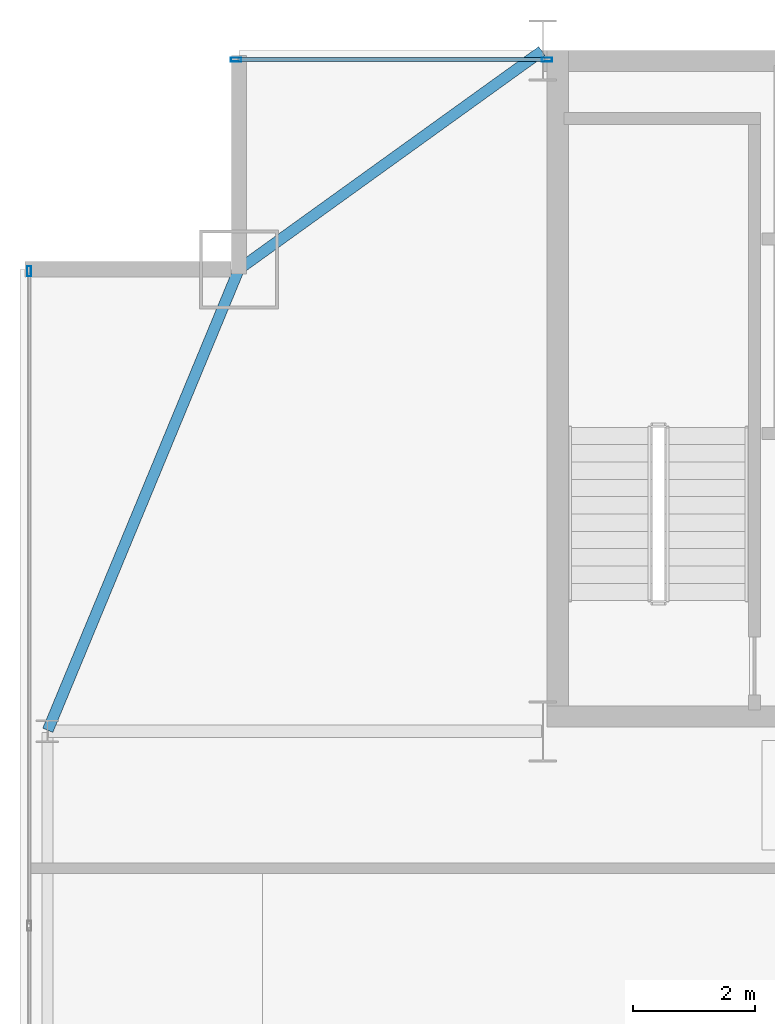
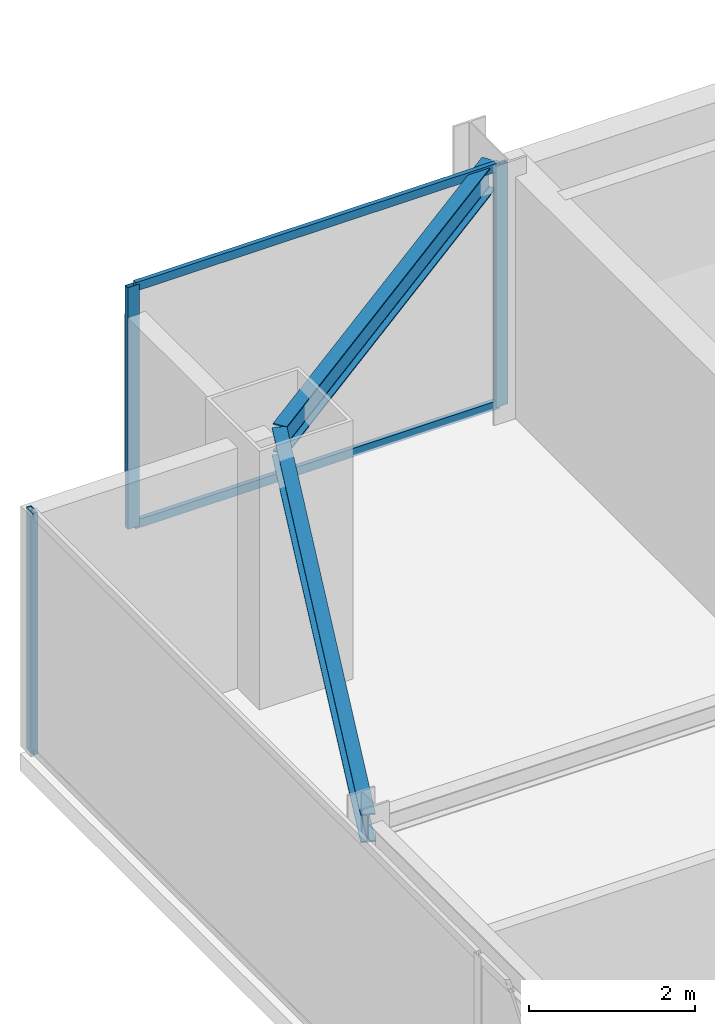
# One storey, part 20 of 30: 5 members, 2 beams, 2 elements without a shape of their own.
"""IFC4 building model written with IfcOpenShell, lengths in metres."""

import ifcopenshell
import ifcopenshell.guid

model = None  # the IFC model being written
_history = None  # IfcOwnerHistory: only IFC2X3 demands one
_inside = {}  # id of a spatial element -> (the spatial element, [elements in it])
_under = {}  # id of a project, library or spatial element -> (it, [spatial elements below it])
_declared = {}  # id of a project -> (the project, [libraries it declares])
_typed = {}  # id of a type object -> (the type object, [elements of that type])
_made_of = {}  # id of a material, layer set ... -> (it, [elements and type objects made of it])


def new_model(schema):
    """Start an empty IFC model of exactly this schema.

    Asked for "IFC4X3", IfcOpenShell would pick the latest addendum, in which some entities
    have other attributes; the version numbers below select the first issue.
    IFC2X3 requires an IfcOwnerHistory on every rooted entity: one is made here for all.
    """
    global model, _history
    if schema == "IFC4X3":
        model = ifcopenshell.file(schema_version=(4, 3, 0, 0))
    else:
        model = ifcopenshell.file(schema=schema)
    _inside.clear()
    _under.clear()
    _declared.clear()
    _typed.clear()
    _made_of.clear()
    _history = None
    if model.schema == "IFC2X3":
        org = make("IfcOrganization", Name="unknown")
        user = make(
            "IfcPersonAndOrganization",
            ThePerson=make("IfcPerson", FamilyName="unknown"),
            TheOrganization=org,
        )
        app = make(
            "IfcApplication",
            ApplicationDeveloper=org,
            Version="unknown",
            ApplicationFullName="unknown",
            ApplicationIdentifier="unknown",
        )
        _history = make(
            "IfcOwnerHistory",
            OwningUser=user,
            OwningApplication=app,
            ChangeAction="ADDED",
            CreationDate=0,
        )
    return model


def make(cls, **values):
    """One entity of the class cls with the attributes given. An attribute that is None is left unset."""
    return model.create_entity(
        cls, **{name: value for name, value in values.items() if value is not None}
    )


def rooted(cls, **values):
    """An entity with a GlobalId (a new one), such as an element, a storey or a relation."""
    return make(cls, GlobalId=ifcopenshell.guid.new(), OwnerHistory=_history, **values)


def si_unit(unit_type, name, prefix=None):
    """IfcSIUnit, for example si_unit("LENGTHUNIT", "METRE", prefix="MILLI")."""
    return make("IfcSIUnit", UnitType=unit_type, Prefix=prefix, Name=name)


def assignment(units):
    """IfcUnitAssignment: the units of a project."""
    return None if units is None else make("IfcUnitAssignment", Units=units)


def point(xyz):
    """IfcCartesianPoint."""
    return None if xyz is None else make("IfcCartesianPoint", Coordinates=xyz)


def direction(xyz):
    """IfcDirection."""
    return None if xyz is None else make("IfcDirection", DirectionRatios=xyz)


def frame(location, z_axis=None, x_axis=None):
    """IfcAxis2Placement3D, a coordinate frame: its origin and axes. An axis left out is left unset."""
    return make(
        "IfcAxis2Placement3D",
        Location=point(location),
        Axis=direction(z_axis),
        RefDirection=direction(x_axis),
    )


def frame_2d(location, x_axis=None):
    """IfcAxis2Placement2D, a coordinate frame in the plane: its origin and x axis."""
    return make(
        "IfcAxis2Placement2D", Location=point(location), RefDirection=direction(x_axis)
    )


def origin():
    """The frame at (0, 0, 0) with its axes left unset."""
    return frame((0.0, 0.0, 0.0))


def origin_2d():
    """The frame at (0, 0) in the plane with its x axis left unset."""
    return frame_2d((0.0, 0.0))


def place(relative_to, where):
    """IfcLocalPlacement: puts the frame where relative to a parent placement (None: the world)."""
    return make(
        "IfcLocalPlacement", PlacementRelTo=relative_to, RelativePlacement=where
    )


def context(
    kind, dimensions, precision=None, world=None, true_north=None, identifier=None
):
    """IfcGeometricRepresentationContext, for example the 3D "Model" context."""
    return make(
        "IfcGeometricRepresentationContext",
        ContextIdentifier=identifier,
        ContextType=kind,
        CoordinateSpaceDimension=dimensions,
        Precision=precision,
        WorldCoordinateSystem=world,
        TrueNorth=true_north,
    )


def subcontext(parent, identifier, kind, view, scale=None):
    """IfcGeometricRepresentationSubContext, for example "Body" below "Model"."""
    return make(
        "IfcGeometricRepresentationSubContext",
        ContextIdentifier=identifier,
        ContextType=kind,
        ParentContext=parent,
        TargetScale=scale,
        TargetView=view,
    )


def project(units=None, contexts=None):
    """IfcProject with its units and contexts."""
    return rooted(
        "IfcProject",
        Name="project",
        RepresentationContexts=contexts,
        UnitsInContext=assignment(units),
    )


def spatial(cls, under=None, at=None, **own):
    """A site, building, storey or space (cls), placed at a placement, below another one or the project."""
    s = rooted(cls, ObjectPlacement=at, **own)
    if under is not None:
        _under.setdefault(under.id(), (under, []))[1].append(s)
    return s


def profile(cls, at=None, kind="AREA", **sizes):
    """A parametric profile (cls). Its sizes go by their IFC names, for example OverallWidth=200.0."""
    return make(cls, ProfileType=kind, Position=at, **sizes)


def hollow_rectangle(**sizes):
    """IfcRectangleHollowProfileDef."""
    return profile("IfcRectangleHollowProfileDef", **sizes)


def i_section(**sizes):
    """IfcIShapeProfileDef."""
    return profile("IfcIShapeProfileDef", **sizes)


def extrude(swept, where, along, depth):
    """IfcExtrudedAreaSolid: the profile swept, set in the frame where, extruded along a direction by depth."""
    return make(
        "IfcExtrudedAreaSolid",
        SweptArea=swept,
        Position=where,
        ExtrudedDirection=direction(along),
        Depth=depth,
    )


def shape(context_of_items, identifier, shape_type, items):
    """IfcShapeRepresentation: the items that make up one representation, for example the "Body"."""
    return make(
        "IfcShapeRepresentation",
        ContextOfItems=context_of_items,
        RepresentationIdentifier=identifier,
        RepresentationType=shape_type,
        Items=items,
    )


def source(mapping_origin, context_of_items, identifier, shape_type, items):
    """IfcRepresentationMap: a shape defined once, which mapped items show again and again."""
    return make(
        "IfcRepresentationMap",
        MappingOrigin=mapping_origin,
        MappedRepresentation=shape(context_of_items, identifier, shape_type, items),
    )


def transform(
    local_origin,
    x_axis=None,
    y_axis=None,
    z_axis=None,
    scale=None,
    scale2=None,
    scale3=None,
    uniform=True,
):
    """IfcCartesianTransformationOperator3D, or its non-uniform kind. x_axis, y_axis, z_axis: its Axis1, 2, 3."""
    if uniform:
        return make(
            "IfcCartesianTransformationOperator3D",
            Axis1=direction(x_axis),
            Axis2=direction(y_axis),
            LocalOrigin=point(local_origin),
            Scale=scale,
            Axis3=direction(z_axis),
        )
    return make(
        "IfcCartesianTransformationOperator3DnonUniform",
        Axis1=direction(x_axis),
        Axis2=direction(y_axis),
        LocalOrigin=point(local_origin),
        Scale=scale,
        Axis3=direction(z_axis),
        Scale2=scale2,
        Scale3=scale3,
    )


def mapped(mapping_source, mapping_target):
    """IfcMappedItem: shows the shape of a source again, moved by a transform."""
    return make(
        "IfcMappedItem", MappingSource=mapping_source, MappingTarget=mapping_target
    )


def material(Name=None, Category=None):
    """IfcMaterial."""
    return make("IfcMaterial", Name=Name, Category=Category)


def layer(
    of_material, thickness, ventilated=None, Name=None, Category=None, Priority=None
):
    """IfcMaterialLayer: one layer of a wall or slab, of a material (None: an air gap)."""
    return make(
        "IfcMaterialLayer",
        Material=of_material,
        LayerThickness=thickness,
        IsVentilated=ventilated,
        Name=Name,
        Category=Category,
        Priority=Priority,
    )


def layer_set(layers, Name=None):
    """IfcMaterialLayerSet."""
    return make("IfcMaterialLayerSet", MaterialLayers=layers, LayerSetName=Name)


def material_profile(
    of_material, cross_section, Name=None, Category=None, Priority=None
):
    """IfcMaterialProfile: a cross section and its material."""
    return make(
        "IfcMaterialProfile",
        Name=Name,
        Material=of_material,
        Profile=cross_section,
        Priority=Priority,
        Category=Category,
    )


def profile_set(profiles, Name=None, composite=None):
    """IfcMaterialProfileSet."""
    return make(
        "IfcMaterialProfileSet",
        Name=Name,
        MaterialProfiles=profiles,
        CompositeProfile=composite,
    )


def made_of(thing, what):
    """Note that an element or type object is made of a material, layer set ...; save() writes the relation."""
    if what is not None:
        _made_of.setdefault(what.id(), (what, []))[1].append(thing)
    return thing


def type_object(cls, material=None, **own):
    """A type object (cls), such as IfcWallType, which elements share."""
    return made_of(rooted(cls, **own), material)


def type_shapes(of_type, sources):
    """Give a type object the sources (RepresentationMaps) that its elements show as mapped items."""
    of_type.RepresentationMaps = sources


def element(
    cls,
    number,
    at=None,
    inside=None,
    cuts=None,
    type_object=None,
    material=None,
    context=None,
    identifier="Body",
    shape_type=None,
    held_by="IfcProductDefinitionShape",
    body=None,
    shapes=None,
    **own,
):
    """One element of the class cls, such as IfcWall. Its Tag is "e" and its number.

    at: its placement. inside: the storey or other place that contains it. cuts: it is an
    opening in that element (IfcRelVoidsElement). A single representation is given by context,
    identifier, shape_type and body (its items); several are given by shapes. held_by: the class
    of the entity that holds the representations. save() writes the other relations.
    """
    e = rooted(cls, Tag="e%d" % number, ObjectPlacement=at, **own)
    if body is not None:
        shapes = [shape(context, identifier, shape_type, body)]
    if shapes is not None:
        e.Representation = make(held_by, Representations=shapes)
    if inside is not None:
        _inside.setdefault(inside.id(), (inside, []))[1].append(e)
    if cuts is not None:
        rooted(
            "IfcRelVoidsElement", RelatingBuildingElement=cuts, RelatedOpeningElement=e
        )
    if type_object is not None:
        _typed.setdefault(type_object.id(), (type_object, []))[1].append(e)
    return made_of(e, material)


def aggregate(whole, parts):
    """IfcRelAggregates: a whole, such as a stair, and the parts it consists of."""
    return rooted("IfcRelAggregates", RelatingObject=whole, RelatedObjects=parts)


def save(model, path):
    """Write the relations noted so far, then the file.

    IfcRelAggregates (storeys below a building ...), IfcRelContainedInSpatialStructure (elements
    in a storey), IfcRelDefinesByType, IfcRelAssociatesMaterial and IfcRelDeclares: one each for
    every whole, place, type object, material and project.
    """
    for whole, parts in _under.values():
        aggregate(whole, parts)
    for where, things in _inside.values():
        rooted(
            "IfcRelContainedInSpatialStructure",
            RelatedElements=things,
            RelatingStructure=where,
        )
    for kind, things in _typed.values():
        rooted("IfcRelDefinesByType", RelatedObjects=things, RelatingType=kind)
    for what, things in _made_of.values():
        rooted("IfcRelAssociatesMaterial", RelatedObjects=things, RelatingMaterial=what)
    for by, libraries in _declared.values():
        rooted("IfcRelDeclares", RelatingContext=by, RelatedDefinitions=libraries)
    model.write(path)


model = new_model("IFC4")

# Units and contexts
model_context = context("Model", 3, precision=1e-05, world=origin(), true_north=direction((0.0, 1.0)))
body_context = subcontext(model_context, "Body", "Model", "MODEL_VIEW")
ifc_project = project(units=[si_unit("LENGTHUNIT", "METRE"), si_unit("AREAUNIT", "SQUARE_METRE"), si_unit("VOLUMEUNIT", "CUBIC_METRE"), si_unit("PLANEANGLEUNIT", "RADIAN"), si_unit("MASSUNIT", "GRAM", prefix="KILO")], contexts=[model_context])

# Site, building, storey
site_placement = place(None, origin())
site = spatial("IfcSite", under=ifc_project, at=site_placement, CompositionType="ELEMENT")
building_placement = place(site_placement, origin())
building = spatial("IfcBuilding", under=site, at=building_placement, Name="Varnel Quay Broadcast Tower", CompositionType="ELEMENT")
storey_placement = place(building_placement, frame((0.0, 0.0, 149.60009765625)))
storey = spatial("IfcBuildingStorey", under=building, at=storey_placement, Name="L36", CompositionType="ELEMENT", Elevation=149.60009765625)

# Beams
ifc_material_1 = material(Name="Structural Steel CSA G40.21 350W", Category="steel")
ifc_material_profile_1 = material_profile(ifc_material_1, i_section(OverallWidth=0.180908203125, OverallDepth=0.4169921875, WebThickness=0.010986328125, FlangeThickness=0.018310546875, FilletRadius=0.011962890625, at=origin_2d()), Name="W410X85")
ifc_profile_set_1 = profile_set([ifc_material_profile_1], Name="Structural Steel CSA G40.21 350W")
beam_type = type_object("IfcBeamType", Name="Beam_W410X85", PredefinedType="SPANDREL", material=ifc_profile_set_1)
shared_shape_1 = source(origin(), body_context, "Body", "SweptSolid", [
    extrude(i_section(OverallWidth=0.180908203125, OverallDepth=0.4169921875, WebThickness=0.010986328125, FlangeThickness=0.018310546875, FilletRadius=0.011962890625, at=origin_2d()), origin(), (0.0, 0.0, 1.0), 8.186767578125),
])
beam_1_placement = place(storey_placement, frame((7.457763671875, 35.618408203125, 3.34130859375), z_axis=(0.382874132092, 0.923800519038, 0.0), x_axis=(-0.923800519038, 0.382874132092, 0.0)))
element("IfcBeam", 1, at=beam_1_placement, inside=storey, type_object=beam_type, Name="L36 West Spandrel TC-W3-MC-NW", PredefinedType="SPANDREL", context=body_context, shape_type="MappedRepresentation", body=[
    mapped(shared_shape_1, transform((0.0, 0.0, 0.0), x_axis=(1.0, 0.0, 0.0), y_axis=(0.0, 1.0, 0.0), z_axis=(0.0, 0.0, 1.0), scale=1.0)),
])
shared_shape_2 = source(origin(), body_context, "Body", "SweptSolid", [
    extrude(i_section(OverallWidth=0.180908203125, OverallDepth=0.4169921875, WebThickness=0.010986328125, FlangeThickness=0.018310546875, FilletRadius=0.011962890625, at=origin_2d()), origin(), (0.0, 0.0, 1.0), 6.12109375),
])
type_shapes(beam_type, [shared_shape_1, shared_shape_2])
beam_2_placement = place(storey_placement, frame((10.6162109375, 43.211669921875, 3.34130859375), z_axis=(0.811531315425, 0.584308928637, 0.0), x_axis=(-0.584308928637, 0.811531315425, 0.0)))
element("IfcBeam", 2, at=beam_2_placement, inside=storey, type_object=beam_type, Name="L36 NW Tie Spandrel", PredefinedType="SPANDREL", context=body_context, shape_type="MappedRepresentation", body=[
    mapped(shared_shape_2, transform((0.0, 0.0, 0.0), x_axis=(1.0, 0.0, 0.0), y_axis=(0.0, 1.0, 0.0), z_axis=(0.0, 0.0, 1.0), scale=1.0)),
])

# Curtain wall, members
ifc_material_2 = material(Name="Anodised Bronze Aluminium 6063-T6", Category="aluminium")
ifc_layer = layer(ifc_material_2, 0.18994140625, Name="Anodised Bronze Aluminium 6063-T6")
ifc_layer_set = layer_set([ifc_layer], Name="Anodised Bronze Aluminium 6063-T6")
curtain_wall_type = type_object("IfcCurtainWallType", Name="CW_UpperTower", PredefinedType="NOTDEFINED", material=ifc_layer_set)
curtain_wall_1_placement = place(storey_placement, origin())
curtain_wall_1 = element("IfcCurtainWall", 3, at=curtain_wall_1_placement, inside=storey, type_object=curtain_wall_type, Name="L36 NW Wing Curtain Wall", PredefinedType="NOTDEFINED")
ifc_material_profile_2 = material_profile(ifc_material_2, hollow_rectangle(XDim=0.06005859375, YDim=0.125, WallThickness=0.0029296875, at=origin_2d()), Name="ALU60X125X3")
ifc_profile_set_2 = profile_set([ifc_material_profile_2], Name="Anodised Bronze Aluminium 6063-T6")
member_type_1 = type_object("IfcMemberType", Name="Tran_CWS-03", PredefinedType="USERDEFINED", material=ifc_profile_set_2)
shared_shape_3 = source(origin(), body_context, "Body", "SweptSolid", [
    extrude(hollow_rectangle(XDim=0.06005859375, YDim=0.125, WallThickness=0.0029296875, at=origin_2d()), origin(), (0.0, 0.0, 1.0), 5.050048828125),
])
type_shapes(member_type_1, [shared_shape_3])
member_1_placement = place(storey_placement, frame((10.5849609375, 46.64990234375, 0.02978515625), z_axis=(1.0, 0.0, 0.0), x_axis=(0.0, 1.0, 0.0)))
member_1 = element("IfcMember", 4, at=member_1_placement, type_object=member_type_1, Name="CWS-03 transom 1.1", ObjectType="TRANSOM", PredefinedType="USERDEFINED", context=body_context, shape_type="MappedRepresentation", body=[
    mapped(shared_shape_3, transform((0.0, 0.0, 0.0), x_axis=(1.0, 0.0, 0.0), y_axis=(0.0, 1.0, 0.0), z_axis=(0.0, 0.0, 1.0), scale=1.0)),
])
member_2_placement = place(storey_placement, frame((10.5849609375, 46.64990234375, 3.52001953125), z_axis=(1.0, 0.0, 0.0), x_axis=(0.0, 1.0, 0.0)))
member_2 = element("IfcMember", 5, at=member_2_placement, type_object=member_type_1, Name="CWS-03 transom 1.2", ObjectType="TRANSOM", PredefinedType="USERDEFINED", context=body_context, shape_type="MappedRepresentation", body=[
    mapped(shared_shape_3, transform((0.0, 0.0, 0.0), x_axis=(1.0, 0.0, 0.0), y_axis=(0.0, 1.0, 0.0), z_axis=(0.0, 0.0, 1.0), scale=1.0)),
])

# Curtain wall, member
curtain_wall_2_placement = place(storey_placement, origin())
curtain_wall_2 = element("IfcCurtainWall", 6, at=curtain_wall_2_placement, inside=storey, type_object=curtain_wall_type, Name="L36 West Unitised Curtain Wall", PredefinedType="NOTDEFINED")
ifc_material_profile_3 = material_profile(ifc_material_2, hollow_rectangle(XDim=0.06494140625, YDim=0.1650390625, WallThickness=0.00341796875, at=origin_2d()), Name="ALU65X165X3.5")
ifc_profile_set_3 = profile_set([ifc_material_profile_3], Name="Anodised Bronze Aluminium 6063-T6")
member_type_2 = type_object("IfcMemberType", Name="Mull_CWS-03", PredefinedType="MULLION", material=ifc_profile_set_3)
shared_shape_4 = source(origin(), body_context, "Body", "SweptSolid", [
    extrude(hollow_rectangle(XDim=0.06494140625, YDim=0.1650390625, WallThickness=0.00341796875, at=origin_2d()), origin(), (0.0, 0.0, 1.0), 3.5498046875),
])
type_shapes(member_type_2, [shared_shape_4])
member_3_placement = place(storey_placement, frame((7.14990234375, 43.16748046875, 0.0), z_axis=(0.0, 0.0, 1.0), x_axis=(-1.0, 0.0, 0.0)))
member_3 = element("IfcMember", 7, at=member_3_placement, type_object=member_type_2, Name="CWS-03 mullion 4", PredefinedType="MULLION", context=body_context, shape_type="MappedRepresentation", body=[
    mapped(shared_shape_4, transform((0.0, 0.0, 0.0), x_axis=(1.0, 0.0, 0.0), y_axis=(0.0, 1.0, 0.0), z_axis=(0.0, 0.0, 1.0), scale=1.0)),
])
aggregate(curtain_wall_2, [member_3])

# Member
member_4_placement = place(storey_placement, frame((10.552490234375, 46.64990234375, 0.0), z_axis=(0.0, 0.0, 1.0), x_axis=(0.0, 1.0, 0.0)))
member_4 = element("IfcMember", 8, at=member_4_placement, type_object=member_type_2, Name="CWS-03 mullion 1", PredefinedType="MULLION", context=body_context, shape_type="MappedRepresentation", body=[
    mapped(shared_shape_4, transform((0.0, 0.0, 0.0), x_axis=(1.0, 0.0, 0.0), y_axis=(0.0, 1.0, 0.0), z_axis=(0.0, 0.0, 1.0), scale=1.0)),
])

member_5_placement = place(storey_placement, frame((15.66748046875, 46.64990234375, 0.0), z_axis=(0.0, 0.0, 1.0), x_axis=(0.0, 1.0, 0.0)))
member_5 = element("IfcMember", 9, at=member_5_placement, type_object=member_type_2, Name="CWS-03 mullion 2", PredefinedType="MULLION", context=body_context, shape_type="MappedRepresentation", body=[
    mapped(shared_shape_4, transform((0.0, 0.0, 0.0), x_axis=(1.0, 0.0, 0.0), y_axis=(0.0, 1.0, 0.0), z_axis=(0.0, 0.0, 1.0), scale=1.0)),
])

aggregate(curtain_wall_1, [member_4, member_5, member_1, member_2])

save(model, "model.ifc")
